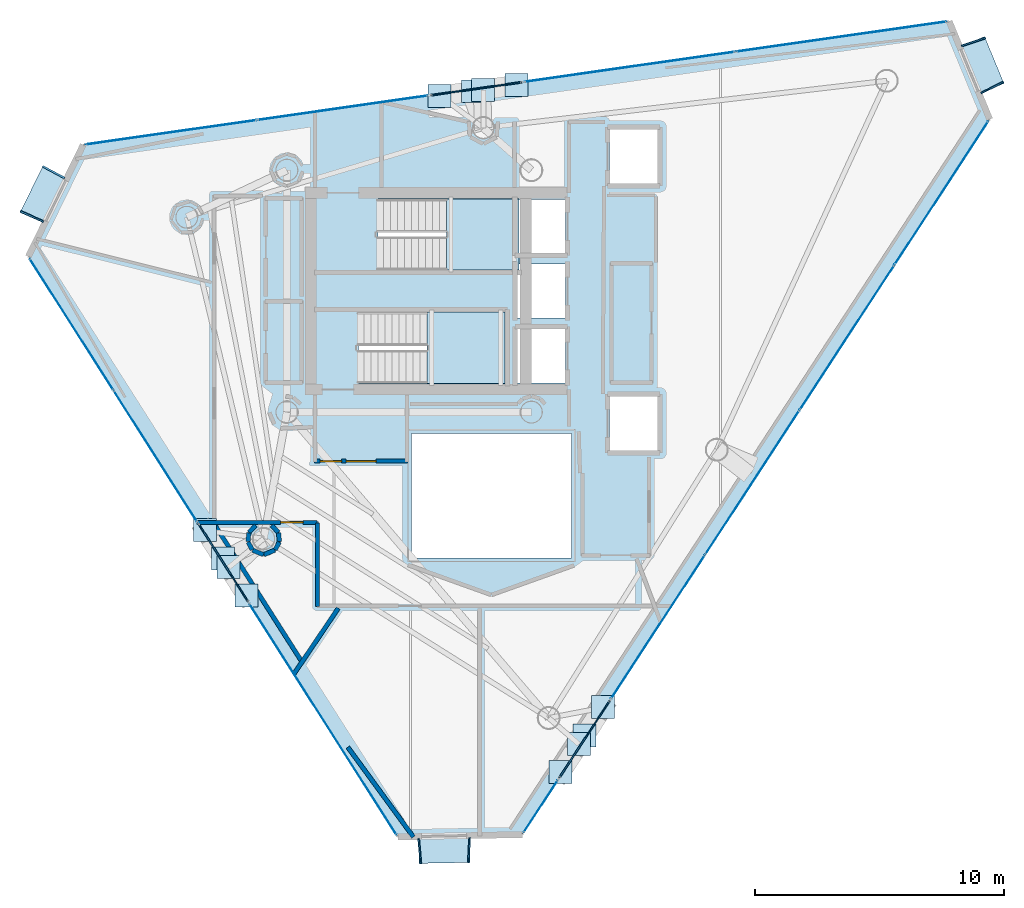
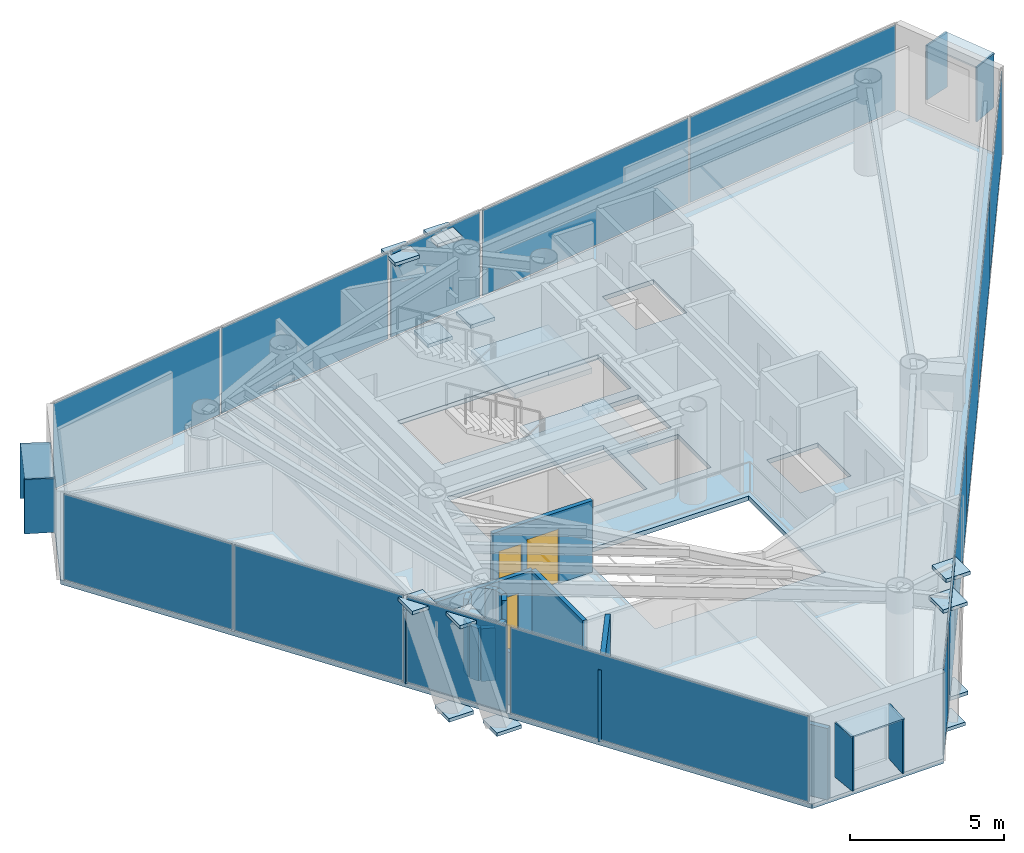
# One storey, part 19 of 25: 36 plates, 14 walls, 3 doors, 3 slabs, 3 openings, 11 elements without a shape of their own.
"""IFC4 building model written with IfcOpenShell, lengths in metres."""

from ifc_helpers import new_model, si_unit, direction, frame, frame_2d, origin, origin_2d, place, context, subcontext, project, spatial, polyline, rectangle, outline, extrude, material, layer, layer_set, type_object, element, fill, aggregate, save


model = new_model("IFC4")

# Units and contexts
model_context = context("Model", 3, precision=1e-05, world=origin(), true_north=direction((0.0, 1.0)))
body_context = subcontext(model_context, "Body", "Model", "MODEL_VIEW")
ifc_project = project(units=[si_unit("LENGTHUNIT", "METRE"), si_unit("AREAUNIT", "SQUARE_METRE"), si_unit("VOLUMEUNIT", "CUBIC_METRE"), si_unit("PLANEANGLEUNIT", "RADIAN"), si_unit("MASSUNIT", "GRAM", prefix="KILO")], contexts=[model_context])

# Site, building, storey
site_placement = place(None, origin())
site = spatial("IfcSite", under=ifc_project, at=site_placement, CompositionType="ELEMENT")
building_placement = place(site_placement, origin())
building = spatial("IfcBuilding", under=site, at=building_placement, Name="Qianvela Tower", CompositionType="ELEMENT")
storey_placement = place(building_placement, frame((0.0, 0.0, 295.39990234375)))
storey = spatial("IfcBuildingStorey", under=building, at=storey_placement, Name="L76", CompositionType="ELEMENT", Elevation=295.39990234375)

# Curtain wall, plate
ifc_material_1 = material(Name="Anodised Architectural Aluminium and Insulated Spandrel Panel", Category="aluminium")
ifc_layer_1 = layer(ifc_material_1, 0.179931640625)
ifc_layer_set_1 = layer_set([ifc_layer_1], Name="Anodised Architectural Aluminium and Insulated Spandrel Panel")
curtain_wall_type_1 = type_object("IfcCurtainWallType", Name="CW-BRACEBAY", PredefinedType="USERDEFINED", material=ifc_layer_set_1)
curtain_wall_1_placement = place(storey_placement, origin())
curtain_wall_1 = element("IfcCurtainWall", 1, at=curtain_wall_1_placement, inside=storey, type_object=curtain_wall_type_1, Name="L76 CW-BRACEBAY Curtain Wall 02B", ObjectType="CURTAIN_WALL_SYSTEM", PredefinedType="USERDEFINED")
ifc_material_2 = material(Name="Insulated Aluminium Spandrel Panel with Mineral-Wool Backpan", Category="aluminium")
ifc_layer_2 = layer(ifc_material_2, 0.06005859375)
ifc_layer_set_2 = layer_set([ifc_layer_2], Name="Insulated Aluminium Spandrel Panel with Mineral-Wool Backpan")
plate_type_1 = type_object("IfcPlateType", Name="CW-BRACEBAY-PNL", PredefinedType="CURTAIN_PANEL", material=ifc_layer_set_2)
plate_1_placement = place(storey_placement, frame((36.190673828125, 36.81298828125, 0.06494140625), z_axis=(0.0, 0.0, 1.0), x_axis=(-0.98995686081, -0.141369776601, 0.0)))
plate_1 = element("IfcPlate", 2, at=plate_1_placement, type_object=plate_type_1, Name="CW-9 panel 1.1", PredefinedType="CURTAIN_PANEL", context=body_context, shape_type="SweptSolid", body=[
    extrude(rectangle(XDim=3.669921875, YDim=0.06005859375, at=origin_2d()), origin(), (0.0, 0.0, 1.0), 3.389892578125),
])
aggregate(curtain_wall_1, [plate_1])

curtain_wall_2_placement = place(storey_placement, origin())
curtain_wall_2 = element("IfcCurtainWall", 3, at=curtain_wall_2_placement, inside=storey, type_object=curtain_wall_type_1, Name="L76 CW-BRACEBAY Curtain Wall 04B", ObjectType="CURTAIN_WALL_SYSTEM", PredefinedType="USERDEFINED")
plate_2_placement = place(storey_placement, frame((26.049072265625, 17.8134765625, 0.06494140625), z_axis=(0.0, 0.0, 1.0), x_axis=(0.536999461603, -0.84358258531, 0.0)))
plate_2 = element("IfcPlate", 4, at=plate_2_placement, type_object=plate_type_1, Name="CW-9 panel 1.1", PredefinedType="CURTAIN_PANEL", context=body_context, shape_type="SweptSolid", body=[
    extrude(rectangle(XDim=3.68017578125, YDim=0.06005859375, at=origin_2d()), origin(), (0.0, 0.0, 1.0), 3.389892578125),
])
aggregate(curtain_wall_2, [plate_2])

curtain_wall_3_placement = place(storey_placement, origin())
curtain_wall_3 = element("IfcCurtainWall", 5, at=curtain_wall_3_placement, inside=storey, type_object=curtain_wall_type_1, Name="L76 CW-BRACEBAY Curtain Wall 06B", ObjectType="CURTAIN_WALL_SYSTEM", PredefinedType="USERDEFINED")
plate_3_placement = place(storey_placement, frame((40.5283203125, 10.728515625, 0.06494140625), z_axis=(0.0, 0.0, 1.0), x_axis=(0.547093775077, 0.837071323886, 0.0)))
plate_3 = element("IfcPlate", 6, at=plate_3_placement, type_object=plate_type_1, Name="CW-9 panel 1.1", PredefinedType="CURTAIN_PANEL", context=body_context, shape_type="SweptSolid", body=[
    extrude(rectangle(XDim=3.679931640625, YDim=0.06005859375, at=origin_2d()), origin(), (0.0, 0.0, 1.0), 3.389892578125),
])
aggregate(curtain_wall_3, [plate_3])

# Curtain wall, plates
ifc_material_3 = material(Name="Anodised Architectural Aluminium and Low-E Glass", Category="aluminium")
ifc_layer_3 = layer(ifc_material_3, 0.14990234375)
ifc_layer_set_3 = layer_set([ifc_layer_3], Name="Anodised Architectural Aluminium and Low-E Glass")
curtain_wall_type_2 = type_object("IfcCurtainWallType", Name="CW-COLIV-Z78", PredefinedType="USERDEFINED", material=ifc_layer_set_3)
curtain_wall_4_placement = place(storey_placement, origin())
curtain_wall_4 = element("IfcCurtainWall", 7, at=curtain_wall_4_placement, inside=storey, type_object=curtain_wall_type_2, Name="L76 CW-COLIV-Z78 Curtain Wall 02A", ObjectType="CURTAIN_WALL_SYSTEM", PredefinedType="USERDEFINED")
ifc_material_4 = material(Name="Double-Silver Low-E Insulated Glass", Category="glass")
ifc_layer_4 = layer(ifc_material_4, 0.02587890625)
ifc_layer_set_4 = layer_set([ifc_layer_4], Name="Double-Silver Low-E Insulated Glass")
plate_type_2 = type_object("IfcPlateType", Name="CW-COLIV-Z78-PNL", PredefinedType="CURTAIN_PANEL", material=ifc_layer_set_4)
plate_4_placement = place(storey_placement, frame((50.8271484375, 38.903076171875, 0.06005859375), z_axis=(0.0, 0.0, 1.0), x_axis=(-0.989957399076, -0.141366007281, 0.0)))
plate_4 = element("IfcPlate", 8, at=plate_4_placement, type_object=plate_type_2, Name="CW-6 panel 1.1", PredefinedType="CURTAIN_PANEL", context=body_context, shape_type="SweptSolid", body=[
    extrude(rectangle(XDim=8.510009765625, YDim=0.02587890625, at=origin_2d()), origin(), (0.0, 0.0, 1.0), 3.39990234375),
])
plate_5_placement = place(storey_placement, frame((42.34326171875, 37.691650390625, 0.06005859375), z_axis=(0.0, 0.0, 1.0), x_axis=(-0.989957399076, -0.141366007281, 0.0)))
plate_5 = element("IfcPlate", 9, at=plate_5_placement, type_object=plate_type_2, Name="CW-6 panel 2.1", PredefinedType="CURTAIN_PANEL", context=body_context, shape_type="SweptSolid", body=[
    extrude(rectangle(XDim=8.510009765625, YDim=0.02587890625, at=origin_2d()), origin(), (0.0, 0.0, 1.0), 3.39990234375),
])
aggregate(curtain_wall_4, [plate_4, plate_5])

curtain_wall_5_placement = place(storey_placement, origin())
curtain_wall_5 = element("IfcCurtainWall", 10, at=curtain_wall_5_placement, inside=storey, type_object=curtain_wall_type_2, Name="L76 CW-COLIV-Z78 Curtain Wall 02C", ObjectType="CURTAIN_WALL_SYSTEM", PredefinedType="USERDEFINED")
plate_6_placement = place(storey_placement, frame((30.8388671875, 36.048828125, 0.06005859375), z_axis=(0.0, 0.0, 1.0), x_axis=(-0.989957942117, -0.141362204424, 0.0)))
plate_6 = element("IfcPlate", 11, at=plate_6_placement, type_object=plate_type_2, Name="CW-6 panel 1.1", PredefinedType="CURTAIN_PANEL", context=body_context, shape_type="SweptSolid", body=[
    extrude(rectangle(XDim=6.89208984375, YDim=0.02587890625, at=origin_2d()), origin(), (0.0, 0.0, 1.0), 3.39990234375),
])
plate_7_placement = place(storey_placement, frame((23.95654296875, 35.06591796875, 0.06005859375), z_axis=(0.0, 0.0, 1.0), x_axis=(-0.989957942117, -0.141362204424, 0.0)))
plate_7 = element("IfcPlate", 12, at=plate_7_placement, type_object=plate_type_2, Name="CW-6 panel 2.1", PredefinedType="CURTAIN_PANEL", context=body_context, shape_type="SweptSolid", body=[
    extrude(rectangle(XDim=6.89208984375, YDim=0.02587890625, at=origin_2d()), origin(), (0.0, 0.0, 1.0), 3.39990234375),
])
aggregate(curtain_wall_5, [plate_6, plate_7])

curtain_wall_6_placement = place(storey_placement, origin())
curtain_wall_6 = element("IfcCurtainWall", 13, at=curtain_wall_6_placement, inside=storey, type_object=curtain_wall_type_2, Name="L76 CW-COLIV-Z78 Curtain Wall 04A", ObjectType="CURTAIN_WALL_SYSTEM", PredefinedType="USERDEFINED")
plate_8_placement = place(storey_placement, frame((19.96337890625, 27.373291015625, 0.06005859375), z_axis=(0.0, 0.0, 1.0), x_axis=(0.537007570388, -0.843577423445, 0.0)))
plate_8 = element("IfcPlate", 14, at=plate_8_placement, type_object=plate_type_2, Name="CW-6 panel 1.1", PredefinedType="CURTAIN_PANEL", context=body_context, shape_type="SweptSolid", body=[
    extrude(rectangle(XDim=6.205078125, YDim=0.02587890625, at=origin_2d()), origin(), (0.0, 0.0, 1.0), 3.39990234375),
])
plate_9_placement = place(storey_placement, frame((23.327880859375, 22.08837890625, 0.06005859375), z_axis=(0.0, 0.0, 1.0), x_axis=(0.537007570388, -0.843577423445, 0.0)))
plate_9 = element("IfcPlate", 15, at=plate_9_placement, type_object=plate_type_2, Name="CW-6 panel 2.1", PredefinedType="CURTAIN_PANEL", context=body_context, shape_type="SweptSolid", body=[
    extrude(rectangle(XDim=6.205078125, YDim=0.02587890625, at=origin_2d()), origin(), (0.0, 0.0, 1.0), 3.39990234375),
])
aggregate(curtain_wall_6, [plate_8, plate_9])

# Curtain wall, plate
curtain_wall_7_placement = place(storey_placement, origin())
curtain_wall_7 = element("IfcCurtainWall", 16, at=curtain_wall_7_placement, inside=storey, type_object=curtain_wall_type_2, Name="L76 CW-COLIV-Z78 Curtain Wall 04C", ObjectType="CURTAIN_WALL_SYSTEM", PredefinedType="USERDEFINED")
plate_10_placement = place(storey_placement, frame((30.046142578125, 11.53466796875, 0.06005859375), z_axis=(0.0, 0.0, 1.0), x_axis=(0.537002835971, -0.843580437278, 0.0)))
plate_10 = element("IfcPlate", 17, at=plate_10_placement, type_object=plate_type_2, Name="CW-6 panel 1.1", PredefinedType="CURTAIN_PANEL", context=body_context, shape_type="SweptSolid", body=[
    extrude(rectangle(XDim=10.95654296875, YDim=0.02587890625, at=origin_2d()), origin(), (0.0, 0.0, 1.0), 3.39990234375),
])
aggregate(curtain_wall_7, [plate_10])

curtain_wall_8_placement = place(storey_placement, origin())
curtain_wall_8 = element("IfcCurtainWall", 18, at=curtain_wall_8_placement, inside=storey, type_object=curtain_wall_type_2, Name="L76 CW-COLIV-Z78 Curtain Wall 06A", ObjectType="CURTAIN_WALL_SYSTEM", PredefinedType="USERDEFINED")
plate_11_placement = place(storey_placement, frame((38.77490234375, 8.0458984375, 0.06005859375), z_axis=(0.0, 0.0, 1.0), x_axis=(0.547079402738, 0.837080717195, 0.0)))
plate_11 = element("IfcPlate", 19, at=plate_11_placement, type_object=plate_type_2, Name="CW-6 panel 1.1", PredefinedType="CURTAIN_PANEL", context=body_context, shape_type="SweptSolid", body=[
    extrude(rectangle(XDim=2.47998046875, YDim=0.02587890625, at=origin_2d()), origin(), (0.0, 0.0, 1.0), 3.39990234375),
])
aggregate(curtain_wall_8, [plate_11])

# Curtain wall, plates
curtain_wall_9_placement = place(storey_placement, origin())
curtain_wall_9 = element("IfcCurtainWall", 20, at=curtain_wall_9_placement, inside=storey, type_object=curtain_wall_type_2, Name="L76 CW-COLIV-Z78 Curtain Wall 06C", ObjectType="CURTAIN_WALL_SYSTEM", PredefinedType="USERDEFINED")
plate_12_placement = place(storey_placement, frame((43.4755859375, 15.238525390625, 0.06005859375), z_axis=(0.0, 0.0, 1.0), x_axis=(0.547081230424, 0.837079522696, 0.0)))
plate_12 = element("IfcPlate", 21, at=plate_12_placement, type_object=plate_type_2, Name="CW-6 panel 1.1", PredefinedType="CURTAIN_PANEL", context=body_context, shape_type="SweptSolid", body=[
    extrude(rectangle(XDim=6.84521484375, YDim=0.02587890625, at=origin_2d()), origin(), (0.0, 0.0, 1.0), 3.39990234375),
])
plate_13_placement = place(storey_placement, frame((47.261474609375, 21.03125, 0.06005859375), z_axis=(0.0, 0.0, 1.0), x_axis=(0.547081230424, 0.837079522696, 0.0)))
plate_13 = element("IfcPlate", 22, at=plate_13_placement, type_object=plate_type_2, Name="CW-6 panel 2.1", PredefinedType="CURTAIN_PANEL", context=body_context, shape_type="SweptSolid", body=[
    extrude(rectangle(XDim=6.875244140625, YDim=0.02587890625, at=origin_2d()), origin(), (0.0, 0.0, 1.0), 3.39990234375),
])
plate_14_placement = place(storey_placement, frame((51.0556640625, 26.83642578125, 0.06005859375), z_axis=(0.0, 0.0, 1.0), x_axis=(0.547081230424, 0.837079522696, 0.0)))
plate_14 = element("IfcPlate", 23, at=plate_14_placement, type_object=plate_type_2, Name="CW-6 panel 3.1", PredefinedType="CURTAIN_PANEL", context=body_context, shape_type="SweptSolid", body=[
    extrude(rectangle(XDim=6.875244140625, YDim=0.02587890625, at=origin_2d()), origin(), (0.0, 0.0, 1.0), 3.39990234375),
])
plate_15_placement = place(storey_placement, frame((54.841552734375, 32.62939453125, 0.06005859375), z_axis=(0.0, 0.0, 1.0), x_axis=(0.547081230424, 0.837079522696, 0.0)))
plate_15 = element("IfcPlate", 24, at=plate_15_placement, type_object=plate_type_2, Name="CW-6 panel 4.1", PredefinedType="CURTAIN_PANEL", context=body_context, shape_type="SweptSolid", body=[
    extrude(rectangle(XDim=6.84521484375, YDim=0.02587890625, at=origin_2d()), origin(), (0.0, 0.0, 1.0), 3.39990234375),
])
aggregate(curtain_wall_9, [plate_12, plate_13, plate_14, plate_15])

# Plates
ifc_material_5 = material(Name="Steel Q420GJC", Category="steel")
ifc_layer_5 = layer(ifc_material_5, 0.139892578125)
ifc_layer_set_5 = layer_set([ifc_layer_5], Name="Steel Q420GJC")
plate_type_3 = type_object("IfcPlateType", Name="PT-GUSSET-NODE-140", PredefinedType="USERDEFINED", material=ifc_layer_set_5)
for number, where, z_axis, x_axis, name in (
    (25, (37.800537109375, 36.962158203125, -0.61328125), (0.0, 0.0, 1.0), (1.0, 0.0, 0.0), "L76 Node Gusset Plate A"),
    (26, (36.458251953125, 36.7705078125, 3.20947265625), (0.0, 0.0, 1.0), (1.0, 0.0, 0.0), "L76 Node Gusset Plate B"),
    (27, (36.065673828125, 36.71435546875, -0.61328125), (0.0, 0.0, 1.0), (1.0, 0.0, 0.0), "L76 Node Gusset Plate A"),
    (28, (34.72314453125, 36.522705078125, 3.20947265625), (0.0, 0.0, 1.0), (1.0, 0.0, 0.0), "L76 Node Gusset Plate B"),
    (29, (26.04248046875, 17.972900390625, -0.61328125), (0.0, 0.0, 1.0), (1.0, 0.0, 0.0), "L76 Node Gusset Plate A"),
    (30, (25.314208984375, 19.116943359375, 3.20947265625), (0.0, 0.0, 1.0), (1.0, 0.0, 0.0), "L76 Node Gusset Plate B"),
    (31, (26.983642578125, 16.494384765625, -0.61328125), (0.0, 0.0, 1.0), (1.0, 0.0, 0.0), "L76 Node Gusset Plate A"),
    (32, (26.25537109375, 17.638427734375, 3.20947265625), (0.0, 0.0, 1.0), (1.0, 0.0, 0.0), "L76 Node Gusset Plate B"),
    (33, (39.57568359375, 9.41748046875, -0.61328125), (0.0, 0.0, 1.0), (1.0, 0.0, 0.0), "L76 Node Gusset Plate A"),
    (34, (40.317626953125, 10.552734375, 3.20947265625), (0.0, 0.0, 1.0), (1.0, 0.0, 0.0), "L76 Node Gusset Plate B"),
    (35, (40.53466796875, 10.884521484375, -0.61328125), (0.0, 0.0, 1.0), (1.0, 0.0, 0.0), "L76 Node Gusset Plate A"),
    (36, (41.276611328125, 12.019775390625, 3.20947265625), (0.0, 0.0, 1.0), (1.0, 0.0, 0.0), "L76 Node Gusset Plate B"),
):
    element("IfcPlate", number, at=place(storey_placement, frame(where, z_axis=z_axis, x_axis=x_axis)), inside=storey, type_object=plate_type_3, Name=name, ObjectType="GUSSET_PLATE", PredefinedType="USERDEFINED", context=body_context, shape_type="SweptSolid", body=[
        extrude(rectangle(XDim=0.919921875, YDim=0.919921875, at=origin_2d()), origin(), (0.0, 0.0, 1.0), 0.139892578125),
    ])

# Slab
ifc_material_6 = material(Name="Concrete C40", Category="concrete")
ifc_layer_6 = layer(ifc_material_6, 0.179931640625)
ifc_layer_set_6 = layer_set([ifc_layer_6], Name="Concrete C40")
slab_type_1 = type_object("IfcSlabType", Name="SL-FLOOR-180", PredefinedType="FLOOR", material=ifc_layer_set_6)
slab_1_placement = place(storey_placement, frame((0.0, 0.0, -0.179931640625)))
element("IfcSlab", 37, at=slab_1_placement, inside=storey, type_object=slab_type_1, Name="L76 Composite Structural Floor Slab", PredefinedType="FLOOR", context=body_context, shape_type="SweptSolid", body=[
    extrude(outline(polyline([(56.7744140625, 35.58642578125), (55.148193359375, 39.520263671875), (20.436279296875, 34.563232421875), (18.23828125, 30.08349609375), (33.047119140625, 6.8203125), (38.0361328125, 6.915771484375), (56.7744140625, 35.58642578125)]), holes=[polyline([(40.0, 23.0), (33.60009765625, 23.0), (33.60009765625, 18.0), (40.0, 18.0), (40.0, 23.0)]), polyline([(43.4599609375, 24.47998046875), (41.5400390625, 24.47998046875), (41.5400390625, 22.320068359375), (43.4599609375, 22.320068359375), (43.4599609375, 24.47998046875)]), polyline([(39.760009765625, 27.179931640625), (37.840087890625, 27.179931640625), (37.840087890625, 25.02001953125), (39.760009765625, 25.02001953125), (39.760009765625, 27.179931640625)]), polyline([(37.35009765625, 27.860107421875), (31.469970703125, 27.860107421875), (31.469970703125, 25.0), (37.35009765625, 25.0), (37.35009765625, 27.860107421875)]), polyline([(39.760009765625, 27.6201171875), (39.760009765625, 29.780029296875), (37.89990234375, 29.780029296875), (37.89990234375, 30.219970703125), (39.760009765625, 30.219970703125), (39.760009765625, 32.3798828125), (37.89990234375, 32.3798828125), (37.89990234375, 32.39990234375), (32.25, 32.39990234375), (32.25, 29.5400390625), (37.840087890625, 29.5400390625), (37.840087890625, 27.6201171875), (39.760009765625, 27.6201171875)]), polyline([(43.4599609375, 35.179931640625), (41.5400390625, 35.179931640625), (41.5400390625, 33.02001953125), (43.4599609375, 33.02001953125), (43.4599609375, 35.179931640625)])]), origin(), (0.0, 0.0, 1.0), 0.179931640625),
])

# Stair, slab
ifc_material_7 = material(Name="Concrete C40", Category="concrete")
stair_type = type_object("IfcStairType", Name="ST-DOGLEG-1350-R168-N22", PredefinedType="HALF_TURN_STAIR", material=ifc_material_7)
stair_1_placement = place(storey_placement, origin())
stair_1 = element("IfcStair", 38, at=stair_1_placement, inside=storey, type_object=stair_type, Name="L76 Smoke-Proof Core Stair ST-1", PredefinedType="HALF_TURN_STAIR")
ifc_material_8 = material(Name="Concrete C40", Category="concrete")
ifc_layer_7 = layer(ifc_material_8, 0.199951171875)
ifc_layer_set_7 = layer_set([ifc_layer_7], Name="Concrete C40")
slab_type_2 = type_object("IfcSlabType", Name="SL-STAIR-LANDING-200", PredefinedType="LANDING", material=ifc_layer_set_7)
slab_2_placement = place(storey_placement, frame((0.0, 0.0, 1.650146484375)))
slab_2 = element("IfcSlab", 39, at=slab_2_placement, type_object=slab_type_2, Name="ST-1 landing 1", PredefinedType="LANDING", context=body_context, shape_type="SweptSolid", body=[
    extrude(outline(polyline([(35.0, 29.5400390625), (37.89990234375, 29.5400390625), (37.89990234375, 32.39990234375), (35.0, 32.39990234375), (35.0, 29.5400390625)])), origin(), (0.0, 0.0, 1.0), 0.199951171875),
])
aggregate(stair_1, [slab_2])

stair_2_placement = place(storey_placement, origin())
stair_2 = element("IfcStair", 40, at=stair_2_placement, inside=storey, type_object=stair_type, Name="L76 Smoke-Proof Core Stair ST-2", PredefinedType="HALF_TURN_STAIR")
slab_3_placement = place(storey_placement, frame((0.0, 0.0, 1.650146484375)))
slab_3 = element("IfcSlab", 41, at=slab_3_placement, type_object=slab_type_2, Name="ST-2 landing 1", PredefinedType="LANDING", context=body_context, shape_type="SweptSolid", body=[
    extrude(outline(polyline([(34.219970703125, 25.0), (37.35009765625, 25.0), (37.35009765625, 27.860107421875), (34.219970703125, 27.860107421875), (34.219970703125, 25.0)])), origin(), (0.0, 0.0, 1.0), 0.199951171875),
])
aggregate(stair_2, [slab_3])

# Plates
ifc_material_9 = material(Name="Vitrified Architectural Terracotta Panel", Category="masonry")
ifc_layer_8 = layer(ifc_material_9, 0.06005859375)
ifc_layer_set_8 = layer_set([ifc_layer_8], Name="Vitrified Architectural Terracotta Panel")
plate_type_4 = type_object("IfcPlateType", Name="TERRACOTTA-SUNSHADE-HOOD-FOLD-A", PredefinedType="USERDEFINED", material=ifc_layer_set_8)
for number, where, z_axis, x_axis, name in (
    (42, (56.501953125, 37.77685546875, 2.9599609375), (0.0, 0.0, 1.0), (-0.38199479977, 0.924164472888, 0.0), "L76 Terracotta Sunshade Hood FOLD-A"),
    (43, (34.912841796875, 6.27099609375, 2.9599609375), (0.0, 0.0, 1.0), (0.999817617008, 0.019097976871, 0.0), "L76 Terracotta Sunshade Hood FOLD-A"),
):
    element("IfcPlate", number, at=place(storey_placement, frame(where, z_axis=z_axis, x_axis=x_axis)), inside=storey, type_object=plate_type_4, Name=name, ObjectType="SUNSHADE", PredefinedType="USERDEFINED", context=body_context, shape_type="SweptSolid", body=[
        extrude(rectangle(XDim=2.0400390625, YDim=0.989990234375, at=origin_2d()), origin(), (0.0, 0.0, 1.0), 0.06005859375),
    ])
ifc_material_10 = material(Name="Vitrified Architectural Terracotta Panel", Category="masonry")
ifc_layer_9 = layer(ifc_material_10, 0.070068359375)
ifc_layer_set_9 = layer_set([ifc_layer_9], Name="Vitrified Architectural Terracotta Panel")
plate_type_5 = type_object("IfcPlateType", Name="TERRACOTTA-SUNSHADE-HOOD-FOLD-C", PredefinedType="USERDEFINED", material=ifc_layer_set_9)
plate_16_placement = place(storey_placement, frame((18.81201171875, 32.5810546875, 2.9599609375), z_axis=(0.0, 0.0, 1.0), x_axis=(-0.440475126449, -0.89776481496, 0.0)))
element("IfcPlate", 44, at=plate_16_placement, inside=storey, type_object=plate_type_5, Name="L76 Terracotta Sunshade Hood FOLD-C", ObjectType="SUNSHADE", PredefinedType="USERDEFINED", context=body_context, shape_type="SweptSolid", body=[
    extrude(rectangle(XDim=2.0400390625, YDim=0.989990234375, at=origin_2d()), origin(), (0.0, 0.0, 1.0), 0.06005859375),
])
ifc_material_11 = material(Name="Vitrified Architectural Terracotta Side Fin Panel", Category="masonry")
ifc_layer_10 = layer(ifc_material_11, 0.06494140625)
ifc_layer_set_10 = layer_set([ifc_layer_10], Name="Vitrified Architectural Terracotta Side Fin Panel")
plate_type_6 = type_object("IfcPlateType", Name="TERRACOTTA-SUNSHADE-STRUT-FOLD-A", PredefinedType="USERDEFINED", material=ifc_layer_set_10)
for number, where, z_axis, x_axis, name in (
    (45, (56.880126953125, 36.86181640625, 0.85009765625), (0.0, 0.0, 1.0), (-0.445530734425, 0.89526664446, 0.0), "L76 Terracotta Sunshade Side Fin HL FOLD-A"),
    (46, (56.123779296875, 38.691650390625, 0.85009765625), (0.0, 0.0, 1.0), (-0.316597824848, 0.948559864901, 0.0), "L76 Terracotta Sunshade Side Fin HR FOLD-A"),
    (47, (33.923095703125, 6.251953125, 0.85009765625), (0.0, 0.0, 1.0), (0.996049904021, 0.088795206509, 0.0), "L76 Terracotta Sunshade Side Fin HL FOLD-A"),
    (48, (35.90283203125, 6.289794921875, 0.85009765625), (0.0, 0.0, 1.0), (0.998714319066, -0.05069229619, 0.0), "L76 Terracotta Sunshade Side Fin HR FOLD-A"),
):
    element("IfcPlate", number, at=place(storey_placement, frame(where, z_axis=z_axis, x_axis=x_axis)), inside=storey, type_object=plate_type_6, Name=name, ObjectType="SUNSHADE", PredefinedType="USERDEFINED", context=body_context, shape_type="SweptSolid", body=[
        extrude(rectangle(XDim=0.06494140625, YDim=1.010009765625, at=origin_2d()), origin(), (0.0, 0.0, 1.0), 2.159912109375),
    ])
ifc_material_12 = material(Name="Vitrified Architectural Terracotta Side Fin Panel", Category="masonry")
ifc_layer_11 = layer(ifc_material_12, 0.074951171875)
ifc_layer_set_11 = layer_set([ifc_layer_11], Name="Vitrified Architectural Terracotta Side Fin Panel")
plate_type_7 = type_object("IfcPlateType", Name="TERRACOTTA-SUNSHADE-STRUT-FOLD-C", PredefinedType="USERDEFINED", material=ifc_layer_set_11)
for number, where, z_axis, x_axis, name in (
    (49, (19.248291015625, 33.4697265625, 0.85009765625), (0.0, 0.0, 1.0), (-0.471538341103, -0.881845560668, 0.0), "L76 Terracotta Sunshade Side Fin HL FOLD-C"),
    (50, (18.3759765625, 31.692138671875, 0.85009765625), (0.0, 0.0, 1.0), (-0.408875260704, -0.912590281114, 0.0), "L76 Terracotta Sunshade Side Fin HR FOLD-C"),
):
    element("IfcPlate", number, at=place(storey_placement, frame(where, z_axis=z_axis, x_axis=x_axis)), inside=storey, type_object=plate_type_7, Name=name, ObjectType="SUNSHADE", PredefinedType="USERDEFINED", context=body_context, shape_type="SweptSolid", body=[
        extrude(rectangle(XDim=0.074951171875, YDim=1.010009765625, at=origin_2d()), origin(), (0.0, 0.0, 1.0), 2.159912109375),
    ])

# Wall, openings, doors
ifc_material_13 = material(Name="Fire-Rated Gypsum and Concrete Block", Category="concrete")
ifc_layer_12 = layer(ifc_material_13, 0.159912109375)
ifc_layer_set_12 = layer_set([ifc_layer_12], Name="Fire-Rated Gypsum and Concrete Block")
wall_type_1 = type_object("IfcWallType", Name="WT-CORR-160", PredefinedType="PARTITIONING", material=ifc_layer_set_12)
wall_1_placement = place(storey_placement, frame((33.449951171875, 21.881103515625, 0.0), z_axis=(0.0, 0.0, 1.0), x_axis=(-1.0, 0.0, 0.0)))
wall_1 = element("IfcWall", 51, at=wall_1_placement, inside=storey, type_object=wall_type_1, Name="L76 Partition 5", PredefinedType="PARTITIONING", context=body_context, shape_type="SweptSolid", body=[
    extrude(rectangle(XDim=3.75, YDim=0.159912109375, at=frame_2d((1.875, 0.0))), origin(), (0.0, 0.0, 1.0), 2.840087890625),
])
opening_1_placement = place(wall_1_placement, frame((1.27490234375, 0.0, 0.0)))
opening_1 = element("IfcOpeningElement", 52, at=opening_1_placement, cuts=wall_1, Name="Opening D-LB1", PredefinedType="OPENING", context=body_context, shape_type="SweptSolid", body=[
    extrude(rectangle(XDim=1.199951171875, YDim=2.14990234375, at=frame_2d((0.60009765625, 1.074951171875))), frame((0.0, 0.08984375, 0.0), z_axis=(0.0, -1.0, 0.0), x_axis=(1.0, 0.0, 0.0)), (0.0, 0.0, 1.0), 0.179931640625),
])
opening_2_placement = place(wall_1_placement, frame((2.659912109375, 0.0, 0.0)))
opening_2 = element("IfcOpeningElement", 53, at=opening_2_placement, cuts=wall_1, Name="Opening D-LB2", PredefinedType="OPENING", context=body_context, shape_type="SweptSolid", body=[
    extrude(rectangle(XDim=0.860107421875, YDim=2.050048828125, at=frame_2d((0.43017578125, 1.02490234375))), frame((0.0, 0.08984375, 0.0), z_axis=(0.0, -1.0, 0.0), x_axis=(1.0, 0.0, 0.0)), (0.0, 0.0, 1.0), 0.179931640625),
])
ifc_material_14 = material(Name="Glazed Fire-Rated Steel Frame", Category="steel")
door_type_1 = type_object("IfcDoorType", Name="DT-LOBBY-FD90", OperationType="NOTDEFINED", PredefinedType="DOOR", material=ifc_material_14)
door_1_placement = place(opening_1_placement, origin())
door_1 = element("IfcDoor", 54, at=door_1_placement, inside=storey, type_object=door_type_1, Name="L76 Door L76 Firefighting Lobby South to L76 Floor Corridor", OperationType="SINGLE_SWING_RIGHT", OverallHeight=2.14990234375, OverallWidth=1.199951171875, PredefinedType="DOOR", context=body_context, shape_type="SweptSolid", body=[
    extrude(rectangle(XDim=1.199951171875, YDim=2.14990234375, at=frame_2d((0.60009765625, 1.074951171875))), frame((0.0, 0.02490234375, 0.0), z_axis=(0.0, -1.0, 0.0), x_axis=(1.0, 0.0, 0.0)), (0.0, 0.0, 1.0), 0.050048828125),
])
fill(opening_1, door_1)
ifc_material_15 = material(Name="Insulated Steel Fire Door Q355B", Category="steel")
door_type_2 = type_object("IfcDoorType", Name="DT-LOBBY-FD90-860", OperationType="NOTDEFINED", PredefinedType="DOOR", material=ifc_material_15)
door_2_placement = place(opening_2_placement, origin())
door_2 = element("IfcDoor", 55, at=door_2_placement, inside=storey, type_object=door_type_2, Name="L76 Door L76 Firefighting Lobby South to L76 Floor Corridor", OperationType="SINGLE_SWING_RIGHT", OverallHeight=2.050048828125, OverallWidth=0.860107421875, PredefinedType="DOOR", context=body_context, shape_type="SweptSolid", body=[
    extrude(rectangle(XDim=0.860107421875, YDim=2.050048828125, at=frame_2d((0.43017578125, 1.02490234375))), frame((0.0, 0.02490234375, 0.0), z_axis=(0.0, -1.0, 0.0), x_axis=(1.0, 0.0, 0.0)), (0.0, 0.0, 1.0), 0.050048828125),
])
fill(opening_2, door_2)

# Wall
wall_2_placement = place(storey_placement, frame((29.8310546875, 16.050048828125, 0.0), z_axis=(0.0, 0.0, 1.0), x_axis=(0.0, 1.0, 0.0)))
element("IfcWall", 56, at=wall_2_placement, inside=storey, type_object=wall_type_1, Name="L76 Partition 67", PredefinedType="PARTITIONING", context=body_context, shape_type="SweptSolid", body=[
    extrude(rectangle(XDim=3.349853515625, YDim=0.159912109375, at=frame_2d((1.6748046875, 0.0))), origin(), (0.0, 0.0, 1.0), 2.840087890625),
])

# Wall, opening, door
wall_3_placement = place(storey_placement, frame((29.800048828125, 19.430908203125, 0.0), z_axis=(0.0, 0.0, 1.0), x_axis=(-1.0, 0.0, 0.0)))
wall_3 = element("IfcWall", 57, at=wall_3_placement, inside=storey, type_object=wall_type_1, Name="L76 Partition 68", PredefinedType="PARTITIONING", context=body_context, shape_type="SweptSolid", body=[
    extrude(rectangle(XDim=4.800537109375, YDim=0.159912109375, at=frame_2d((2.400390625, 0.0))), origin(), (0.0, 0.0, 1.0), 2.840087890625),
])
opening_3_placement = place(wall_3_placement, frame((0.55029296875, 0.0, 0.0)))
opening_3 = element("IfcOpeningElement", 58, at=opening_3_placement, cuts=wall_3, Name="Opening D-KT1", PredefinedType="OPENING", context=body_context, shape_type="SweptSolid", body=[
    extrude(rectangle(XDim=0.89990234375, YDim=2.10009765625, at=frame_2d((0.449951171875, 1.050048828125))), frame((0.0, 0.08984375, 0.0), z_axis=(0.0, -1.0, 0.0), x_axis=(1.0, 0.0, 0.0)), (0.0, 0.0, 1.0), 0.179931640625),
])
ifc_material_16 = material(Name="Glazed Timber Kitchen Door", Category="wood")
door_type_3 = type_object("IfcDoorType", Name="DT-KITCH-900", OperationType="NOTDEFINED", PredefinedType="DOOR", material=ifc_material_16)
door_3_placement = place(opening_3_placement, origin())
door_3 = element("IfcDoor", 59, at=door_3_placement, inside=storey, type_object=door_type_3, Name="L76 Door Shared Communal Kitchen L76-01 to L76 Floor Corridor", OperationType="SINGLE_SWING_LEFT", OverallHeight=2.10009765625, OverallWidth=0.89990234375, PredefinedType="DOOR", context=body_context, shape_type="SweptSolid", body=[
    extrude(rectangle(XDim=0.89990234375, YDim=2.10009765625, at=frame_2d((0.449951171875, 1.050048828125))), frame((0.0, 0.02490234375, 0.0), z_axis=(0.0, -1.0, 0.0), x_axis=(1.0, 0.0, 0.0)), (0.0, 0.0, 1.0), 0.050048828125),
])
fill(opening_3, door_3)

# Walls
ifc_material_17 = material(Name="Moisture-Resistant Acoustic Plumbing Wall")
ifc_layer_13 = layer(ifc_material_17, 0.175048828125)
ifc_layer_set_13 = layer_set([ifc_layer_13], Name="Moisture-Resistant Acoustic Plumbing Wall")
wall_type_2 = type_object("IfcWallType", Name="WT-PLUMB-175", PredefinedType="PLUMBINGWALL", material=ifc_layer_set_13)
wall_4_placement = place(storey_placement, frame((30.658203125, 15.9873046875, 0.0), z_axis=(0.0, 0.0, 1.0), x_axis=(-0.559194255482, -0.82903666061, 0.0)))
element("IfcWall", 60, at=wall_4_placement, inside=storey, type_object=wall_type_2, Name="L76 Partition 74", PredefinedType="PLUMBINGWALL", context=body_context, shape_type="SweptSolid", body=[
    extrude(rectangle(XDim=3.191162109375, YDim=0.175048828125, at=frame_2d((1.595703125, 0.0))), origin(), (0.0, 0.0, 1.0), 2.840087890625),
])
wall_5_placement = place(storey_placement, frame((29.231201171875, 13.794189453125, 0.0), z_axis=(0.0, 0.0, 1.0), x_axis=(-0.5370149386, 0.843572732916, 0.0)))
element("IfcWall", 61, at=wall_5_placement, inside=storey, type_object=wall_type_2, Name="L76 Partition 75", PredefinedType="PLUMBINGWALL", context=body_context, shape_type="SweptSolid", body=[
    extrude(rectangle(XDim=6.5703125, YDim=0.175048828125, at=frame_2d((3.28515625, 0.0))), origin(), (0.0, 0.0, 1.0), 2.09521484375),
])
wall_6_placement = place(storey_placement, frame((27.347412109375, 19.3056640625, 0.0), z_axis=(0.0, 0.0, 1.0), x_axis=(-0.68932010071, -0.724456899171, 0.0)))
element("IfcWall", 62, at=wall_6_placement, inside=storey, type_object=wall_type_2, Name="L76 Partition 77", PredefinedType="PLUMBINGWALL", context=body_context, shape_type="SweptSolid", body=[
    extrude(rectangle(XDim=0.382080078125, YDim=0.175048828125, at=frame_2d((0.19091796875, 0.0))), origin(), (0.0, 0.0, 1.0), 2.840087890625),
])
wall_7_placement = place(storey_placement, frame((27.07568359375, 19.010498046875, 0.0), z_axis=(0.0, 0.0, 1.0), x_axis=(-0.097865889817, -0.995199611942, 0.0)))
element("IfcWall", 63, at=wall_7_placement, inside=storey, type_object=wall_type_2, Name="L76 Partition 78", PredefinedType="PLUMBINGWALL", context=body_context, shape_type="SweptSolid", body=[
    extrude(rectangle(XDim=0.354248046875, YDim=0.175048828125, at=frame_2d((0.17724609375, 0.0))), origin(), (0.0, 0.0, 1.0), 2.09521484375),
])
wall_8_placement = place(storey_placement, frame((27.04443359375, 18.640380859375, 0.0), z_axis=(0.0, 0.0, 1.0), x_axis=(0.471053526925, -0.882104628019, 0.0)))
element("IfcWall", 64, at=wall_8_placement, inside=storey, type_object=wall_type_2, Name="L76 Partition 79", PredefinedType="PLUMBINGWALL", context=body_context, shape_type="SweptSolid", body=[
    extrude(rectangle(XDim=0.35400390625, YDim=0.175048828125, at=frame_2d((0.177001953125, 0.0))), origin(), (0.0, 0.0, 1.0), 2.09521484375),
])
for number, where, z_axis, x_axis, name in (
    (65, (27.226806640625, 18.31396484375, 0.0), (0.0, 0.0, 1.0), (0.924048683901, -0.382274809242, 0.0), "L76 Partition 80"),
    (66, (27.681884765625, 18.135498046875, 0.0), (0.0, 0.0, 1.0), (0.924048683901, 0.382274809242, 0.0), "L76 Partition 81"),
):
    element("IfcWall", number, at=place(storey_placement, frame(where, z_axis=z_axis, x_axis=x_axis)), inside=storey, type_object=wall_type_2, Name=name, PredefinedType="PLUMBINGWALL", context=body_context, shape_type="SweptSolid", body=[
        extrude(rectangle(XDim=0.466796875, YDim=0.175048828125, at=frame_2d((0.2333984375, 0.0))), origin(), (0.0, 0.0, 1.0), 2.09521484375),
    ])
wall_9_placement = place(storey_placement, frame((28.128662109375, 18.328125, 0.0), z_axis=(0.0, 0.0, 1.0), x_axis=(0.471589913721, 0.881817981942, 0.0)))
element("IfcWall", 67, at=wall_9_placement, inside=storey, type_object=wall_type_2, Name="L76 Partition 82", PredefinedType="PLUMBINGWALL", context=body_context, shape_type="SweptSolid", body=[
    extrude(rectangle(XDim=0.35400390625, YDim=0.175048828125, at=frame_2d((0.177001953125, 0.0))), origin(), (0.0, 0.0, 1.0), 2.840087890625),
])
wall_10_placement = place(storey_placement, frame((28.299072265625, 18.657958984375, 0.0), z_axis=(0.0, 0.0, 1.0), x_axis=(-0.097865889817, 0.995199611942, 0.0)))
element("IfcWall", 68, at=wall_10_placement, inside=storey, type_object=wall_type_2, Name="L76 Partition 83", PredefinedType="PLUMBINGWALL", context=body_context, shape_type="SweptSolid", body=[
    extrude(rectangle(XDim=0.354248046875, YDim=0.175048828125, at=frame_2d((0.17724609375, 0.0))), origin(), (0.0, 0.0, 1.0), 2.840087890625),
])
wall_11_placement = place(storey_placement, frame((28.256103515625, 19.02880859375, 0.0), z_axis=(0.0, 0.0, 1.0), x_axis=(-0.68932010071, 0.724456899171, 0.0)))
element("IfcWall", 69, at=wall_11_placement, inside=storey, type_object=wall_type_2, Name="L76 Partition 84", PredefinedType="PLUMBINGWALL", context=body_context, shape_type="SweptSolid", body=[
    extrude(rectangle(XDim=0.382080078125, YDim=0.175048828125, at=frame_2d((0.19091796875, 0.0))), origin(), (0.0, 0.0, 1.0), 2.840087890625),
])
wall_12_placement = place(storey_placement, frame((33.673828125, 6.815185546875, 0.0), z_axis=(0.0, 0.0, 1.0), x_axis=(-0.590016589342, 0.807391122258, 0.0)))
element("IfcWall", 70, at=wall_12_placement, inside=storey, type_object=wall_type_2, Name="L76 Partition 89 seg 1", PredefinedType="PLUMBINGWALL", context=body_context, shape_type="SweptSolid", body=[
    extrude(rectangle(XDim=4.457763671875, YDim=0.175048828125, at=frame_2d((2.22900390625, 0.0))), origin(), (0.0, 0.0, 1.0), 2.840087890625),
])

save(model, "model.ifc")
